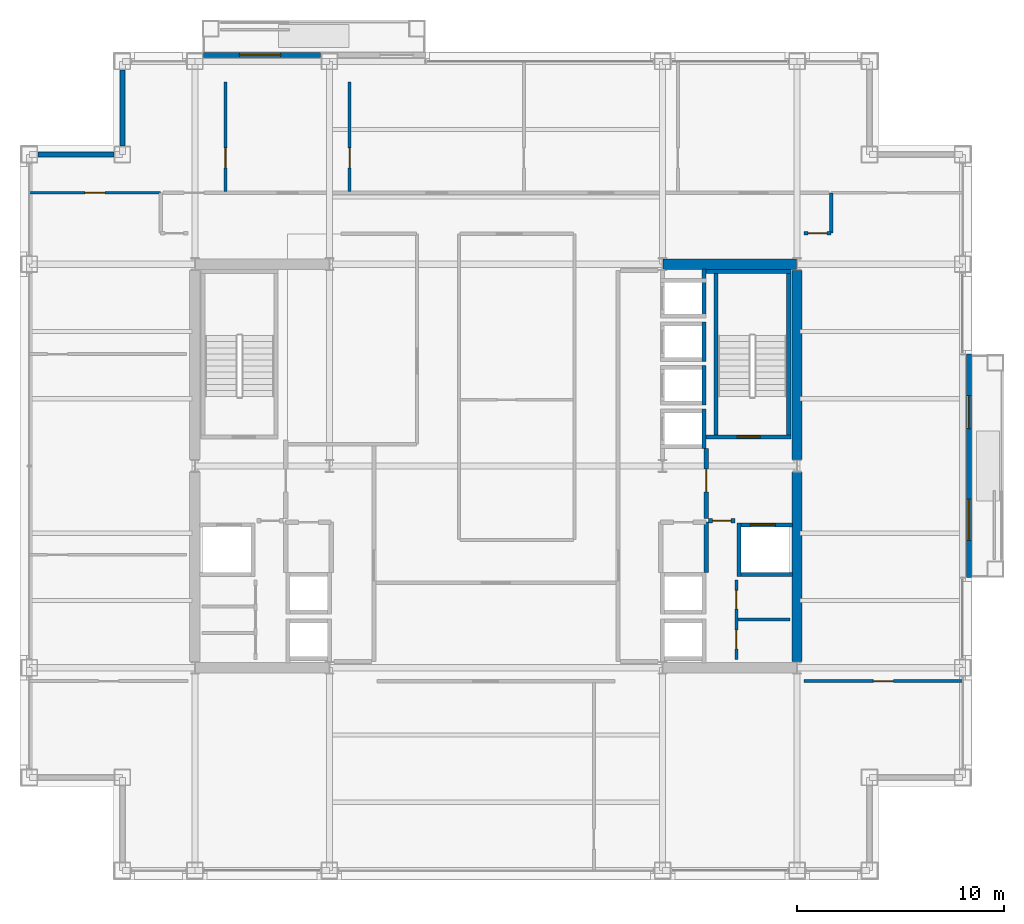
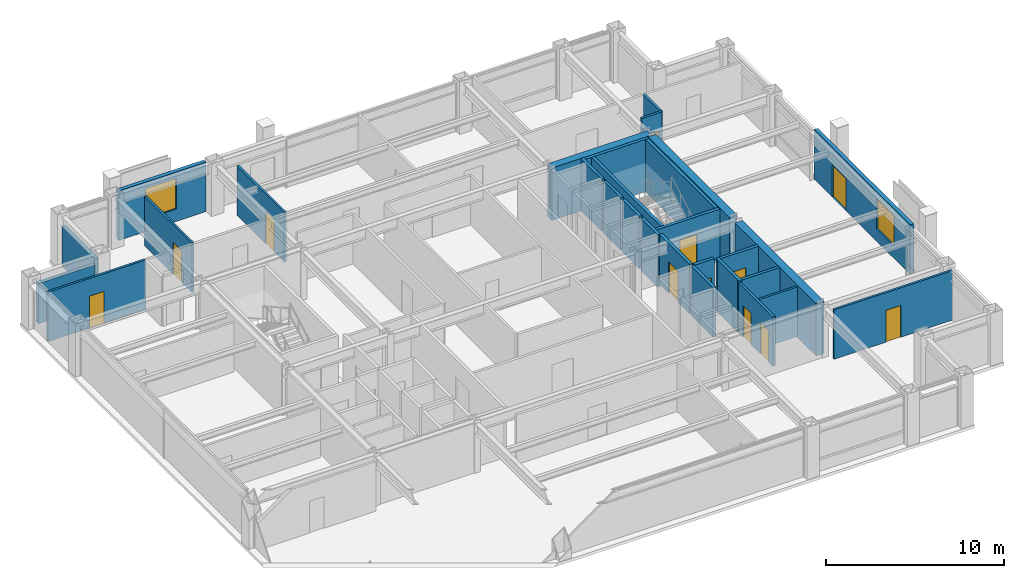
# One storey, part 26 of 29: 29 walls, 12 doors, 2 windows, 14 openings.
"""IFC4 building model written with IfcOpenShell, lengths in metres."""

from ifc_helpers import new_model, si_unit, direction, frame, frame_2d, origin, place, context, subcontext, project, spatial, rectangle, extrude, material, layer, layer_set, type_object, element, fill, save


model = new_model("IFC4")

# Units and contexts
model_context = context("Model", 3, precision=1e-05, world=origin(), true_north=direction((0.0, 1.0)))
body_context = subcontext(model_context, "Body", "Model", "MODEL_VIEW")
ifc_project = project(units=[si_unit("LENGTHUNIT", "METRE"), si_unit("AREAUNIT", "SQUARE_METRE"), si_unit("VOLUMEUNIT", "CUBIC_METRE"), si_unit("PLANEANGLEUNIT", "RADIAN"), si_unit("MASSUNIT", "GRAM", prefix="KILO")], contexts=[model_context])

# Site, building, storey
site_placement = place(None, origin())
site = spatial("IfcSite", under=ifc_project, at=site_placement, CompositionType="ELEMENT")
building_placement = place(site_placement, origin())
building = spatial("IfcBuilding", under=site, at=building_placement, Name="Brelmoor Portico Tower", CompositionType="ELEMENT")
storey_placement = place(building_placement, frame((0.0, 0.0, 135.0)))
storey = spatial("IfcBuildingStorey", under=building, at=storey_placement, Name="L35", CompositionType="ELEMENT", Elevation=135.0)

# Walls
ifc_material_1 = material(Name="Concrete C60", Category="concrete")
ifc_layer_1 = layer(ifc_material_1, 0.5)
ifc_layer_set_1 = layer_set([ifc_layer_1], Name="Concrete C60")
wall_type_1 = type_object("IfcWallType", Name="WL-CORE-500", PredefinedType="SHEAR", material=ifc_layer_set_1)
wall_1_placement = place(storey_placement, frame((8.070068359375, 9.75, -0.199951171875), z_axis=(0.0, 0.0, 1.0), x_axis=(1.0, 0.0, 0.0)))
element("IfcWall", 1, at=wall_1_placement, inside=storey, type_object=wall_type_1, Name="L35 EC North Shear Wall", PredefinedType="SHEAR", context=body_context, shape_type="SweptSolid", body=[
    extrude(rectangle(XDim=6.4599609375, YDim=0.5, at=frame_2d((3.22998046875, 0.0))), origin(), (0.0, 0.0, 1.0), 3.599853515625),
])
for number, where, z_axis, x_axis, name in (
    (2, (14.550048828125, -9.449951171875, -0.199951171875), (0.0, 0.0, 1.0), (0.0, 1.0, 0.0), "L35 EC Outer South Shear Wall"),
    (3, (14.550048828125, 0.300048828125, -0.199951171875), (0.0, 0.0, 1.0), (0.0, 1.0, 0.0), "L35 EC Outer North Shear Wall"),
):
    element("IfcWall", number, at=place(storey_placement, frame(where, z_axis=z_axis, x_axis=x_axis)), inside=storey, type_object=wall_type_1, Name=name, PredefinedType="SHEAR", context=body_context, shape_type="SweptSolid", body=[
        extrude(rectangle(XDim=9.14990234375, YDim=0.5, at=frame_2d((4.574951171875, 0.0))), origin(), (0.0, 0.0, 1.0), 3.599853515625),
    ])

# Wall, opening, window
ifc_material_2 = material(Name="Precast Concrete C40 Insulated Facade Wall", Category="concrete")
ifc_layer_2 = layer(ifc_material_2, 0.25)
ifc_layer_set_2 = layer_set([ifc_layer_2], Name="Precast Concrete C40 Insulated Facade Wall")
wall_type_2 = type_object("IfcWallType", Name="WL-EXT-250", PredefinedType="STANDARD", material=ifc_layer_set_2)
wall_2_placement = place(storey_placement, frame((-14.1298828125, 19.860107421875, 0.0), z_axis=(0.0, 0.0, 1.0), x_axis=(1.0, 0.0, 0.0)))
wall_2 = element("IfcWall", 4, at=wall_2_placement, inside=storey, type_object=wall_type_2, Name="L35 Loggia Threshold Wall N-1", PredefinedType="STANDARD", context=body_context, shape_type="SweptSolid", body=[
    extrude(rectangle(XDim=5.659912109375, YDim=0.25, at=frame_2d((2.830078125, 0.0))), origin(), (0.0, 0.0, 1.0), 3.39990234375),
])
opening_1_placement = place(wall_2_placement, frame((1.72998046875, 0.0, 0.85009765625)))
opening_1 = element("IfcOpeningElement", 5, at=opening_1_placement, cuts=wall_2, Name="Opening W-03", PredefinedType="OPENING", context=body_context, shape_type="SweptSolid", body=[
    extrude(rectangle(XDim=2.0, YDim=2.10009765625, at=frame_2d((1.0, 1.050048828125))), frame((0.0, 0.135009765625, 0.0), z_axis=(0.0, -1.0, 0.0), x_axis=(1.0, 0.0, 0.0)), (0.0, 0.0, 1.0), 0.27001953125),
])
ifc_material_3 = material(Name="Thermally Broken Aluminium Low-E Window", Category="aluminium")
window_type = type_object("IfcWindowType", Name="WN-LOGGIA-2000x2100", PartitioningType="SINGLE_PANEL", PredefinedType="WINDOW", material=ifc_material_3)
window_1_placement = place(opening_1_placement, origin())
window_1 = element("IfcWindow", 6, at=window_1_placement, inside=storey, type_object=window_type, Name="L35 Loggia Window N", OverallHeight=2.10009765625, OverallWidth=2.0, PartitioningType="SINGLE_PANEL", PredefinedType="WINDOW", context=body_context, shape_type="SweptSolid", body=[
    extrude(rectangle(XDim=2.0, YDim=2.10009765625, at=frame_2d((1.0, 1.050048828125))), frame((0.0, 0.030029296875, 0.0), z_axis=(0.0, -1.0, 0.0), x_axis=(1.0, 0.0, 0.0)), (0.0, 0.0, 1.0), 0.06005859375),
])
fill(opening_1, window_1)

# Wall, openings, door, window
wall_3_placement = place(storey_placement, frame((22.860107421875, -5.39990234375, 0.0), z_axis=(0.0, 0.0, 1.0), x_axis=(0.0, 1.0, 0.0)))
wall_3 = element("IfcWall", 7, at=wall_3_placement, inside=storey, type_object=wall_type_2, Name="L35 Loggia Threshold Wall E-1", PredefinedType="STANDARD", context=body_context, shape_type="SweptSolid", body=[
    extrude(rectangle(XDim=10.7998046875, YDim=0.25, at=frame_2d((5.39990234375, 0.0))), origin(), (0.0, 0.0, 1.0), 3.39990234375),
])
opening_2_placement = place(wall_3_placement, frame((7.199951171875, 0.0, 0.0)))
opening_2 = element("IfcOpeningElement", 8, at=opening_2_placement, cuts=wall_3, Name="Opening D-TB1", PredefinedType="OPENING", context=body_context, shape_type="SweptSolid", body=[
    extrude(rectangle(XDim=1.60009765625, YDim=2.199951171875, at=frame_2d((0.800048828125, 1.10009765625))), frame((0.0, 0.135009765625, 0.0), z_axis=(0.0, -1.0, 0.0), x_axis=(1.0, 0.0, 0.0)), (0.0, 0.0, 1.0), 0.27001953125),
])
opening_3_placement = place(wall_3_placement, frame((1.800048828125, 0.0, 0.85009765625)))
opening_3 = element("IfcOpeningElement", 9, at=opening_3_placement, cuts=wall_3, Name="Opening W-03", PredefinedType="OPENING", context=body_context, shape_type="SweptSolid", body=[
    extrude(rectangle(XDim=2.0, YDim=2.10009765625, at=frame_2d((1.0, 1.050048828125))), frame((0.0, 0.135009765625, 0.0), z_axis=(0.0, -1.0, 0.0), x_axis=(1.0, 0.0, 0.0)), (0.0, 0.0, 1.0), 0.27001953125),
])
ifc_material_4 = material(Name="Double-Leaf Thermally Broken Terrace Door", Category="aluminium")
door_type_1 = type_object("IfcDoorType", Name="DR-BALCONY-1600", OperationType="NOTDEFINED", PredefinedType="DOOR", material=ifc_material_4)
door_1_placement = place(opening_2_placement, origin())
door_1 = element("IfcDoor", 10, at=door_1_placement, inside=storey, type_object=door_type_1, Name="D-1545 L35 Tree Balcony Double Door E", OperationType="DOUBLE_DOOR_SINGLE_SWING", OverallHeight=2.199951171875, OverallWidth=1.60009765625, PredefinedType="DOOR", context=body_context, shape_type="SweptSolid", body=[
    extrude(rectangle(XDim=1.60009765625, YDim=2.199951171875, at=frame_2d((0.800048828125, 1.10009765625))), frame((0.0, 0.02490234375, 0.0), z_axis=(0.0, -1.0, 0.0), x_axis=(1.0, 0.0, 0.0)), (0.0, 0.0, 1.0), 0.050048828125),
])
fill(opening_2, door_1)
window_2_placement = place(opening_3_placement, origin())
window_2 = element("IfcWindow", 11, at=window_2_placement, inside=storey, type_object=window_type, Name="L35 Loggia Window E", OverallHeight=2.10009765625, OverallWidth=2.0, PartitioningType="SINGLE_PANEL", PredefinedType="WINDOW", context=body_context, shape_type="SweptSolid", body=[
    extrude(rectangle(XDim=2.0, YDim=2.10009765625, at=frame_2d((1.0, 1.050048828125))), frame((0.0, 0.030029296875, 0.0), z_axis=(0.0, -1.0, 0.0), x_axis=(1.0, 0.0, 0.0)), (0.0, 0.0, 1.0), 0.06005859375),
])
fill(opening_3, window_2)

# Walls
for number, where, z_axis, x_axis, name in (
    (12, (-22.139892578125, 15.050048828125, 0.0), (0.0, 0.0, 1.0), (1.0, 0.0, 0.0), "L35 Corner Notch Facade Wall NNWH1"),
    (13, (-18.050048828125, 15.4599609375, 0.0), (0.0, 0.0, 1.0), (0.0, 1.0, 0.0), "L35 Corner Notch Facade Wall NNWV1"),
):
    element("IfcWall", number, at=place(storey_placement, frame(where, z_axis=z_axis, x_axis=x_axis)), inside=storey, type_object=wall_type_2, Name=name, PredefinedType="STANDARD", context=body_context, shape_type="SweptSolid", body=[
        extrude(rectangle(XDim=3.679931640625, YDim=0.25, at=frame_2d((1.83984375, 0.0))), origin(), (0.0, 0.0, 1.0), 2.75),
    ])
ifc_material_5 = material(Name="Insulated Stud Suite Partition", Category="gypsum")
ifc_layer_3 = layer(ifc_material_5, 0.139892578125)
ifc_layer_set_3 = layer_set([ifc_layer_3], Name="Insulated Stud Suite Partition")
wall_type_3 = type_object("IfcWallType", Name="WL-PART-140", PredefinedType="PARTITIONING", material=ifc_layer_set_3)
wall_4_placement = place(storey_placement, frame((11.699951171875, -7.425048828125, 0.0), z_axis=(0.0, 0.0, 1.0), x_axis=(1.0, 0.0, 0.0)))
element("IfcWall", 14, at=wall_4_placement, inside=storey, type_object=wall_type_3, Name="L35 E Core WC Divider 1", PredefinedType="PARTITIONING", context=body_context, shape_type="SweptSolid", body=[
    extrude(rectangle(XDim=2.5, YDim=0.139892578125, at=frame_2d((1.25, 0.0))), origin(), (0.0, 0.0, 1.0), 3.39990234375),
])

# Wall, opening, door
wall_5_placement = place(storey_placement, frame((-13.070068359375, 13.260009765625, 0.0), z_axis=(0.0, 0.0, 1.0), x_axis=(0.0, 1.0, 0.0)))
wall_5 = element("IfcWall", 15, at=wall_5_placement, inside=storey, type_object=wall_type_3, Name="L35 North Suite Partition 1", PredefinedType="PARTITIONING", context=body_context, shape_type="SweptSolid", body=[
    extrude(rectangle(XDim=5.2900390625, YDim=0.139892578125, at=frame_2d((2.64501953125, 0.0))), origin(), (0.0, 0.0, 1.0), 3.39990234375),
])
opening_4_placement = place(wall_5_placement, frame((1.14990234375, 0.0, 0.0)))
opening_4 = element("IfcOpeningElement", 16, at=opening_4_placement, cuts=wall_5, Name="Opening D-IN2", PredefinedType="OPENING", context=body_context, shape_type="SweptSolid", body=[
    extrude(rectangle(XDim=0.9599609375, YDim=2.179931640625, at=frame_2d((0.47998046875, 1.08984375))), frame((0.0, 0.079833984375, 0.0), z_axis=(0.0, -1.0, 0.0), x_axis=(1.0, 0.0, 0.0)), (0.0, 0.0, 1.0), 0.159912109375),
])
ifc_material_6 = material(Name="Lacquered Timber Suite Door", Category="wood")
door_type_2 = type_object("IfcDoorType", Name="DR-INT-950", OperationType="NOTDEFINED", PredefinedType="DOOR", material=ifc_material_6)
door_2_placement = place(opening_4_placement, origin())
door_2 = element("IfcDoor", 17, at=door_2_placement, inside=storey, type_object=door_type_2, Name="D-1532 L35 North Suite Connecting Door 1", OperationType="SINGLE_SWING_LEFT", OverallHeight=2.179931640625, OverallWidth=0.9599609375, PredefinedType="DOOR", context=body_context, shape_type="SweptSolid", body=[
    extrude(rectangle(XDim=0.9599609375, YDim=2.179931640625, at=frame_2d((0.47998046875, 1.08984375))), frame((0.0, 0.02490234375, 0.0), z_axis=(0.0, -1.0, 0.0), x_axis=(1.0, 0.0, 0.0)), (0.0, 0.0, 1.0), 0.050048828125),
])
fill(opening_4, door_2)

wall_6_placement = place(storey_placement, frame((-7.070068359375, 13.260009765625, 0.0), z_axis=(0.0, 0.0, 1.0), x_axis=(0.0, 1.0, 0.0)))
wall_6 = element("IfcWall", 18, at=wall_6_placement, inside=storey, type_object=wall_type_3, Name="L35 North Suite Partition 2", PredefinedType="PARTITIONING", context=body_context, shape_type="SweptSolid", body=[
    extrude(rectangle(XDim=5.2900390625, YDim=0.139892578125, at=frame_2d((2.64501953125, 0.0))), origin(), (0.0, 0.0, 1.0), 3.39990234375),
])
opening_5_placement = place(wall_6_placement, frame((1.14990234375, 0.0, 0.0)))
opening_5 = element("IfcOpeningElement", 19, at=opening_5_placement, cuts=wall_6, Name="Opening D-IN2", PredefinedType="OPENING", context=body_context, shape_type="SweptSolid", body=[
    extrude(rectangle(XDim=0.9599609375, YDim=2.179931640625, at=frame_2d((0.47998046875, 1.08984375))), frame((0.0, 0.079833984375, 0.0), z_axis=(0.0, -1.0, 0.0), x_axis=(1.0, 0.0, 0.0)), (0.0, 0.0, 1.0), 0.159912109375),
])
door_3_placement = place(opening_5_placement, origin())
door_3 = element("IfcDoor", 20, at=door_3_placement, inside=storey, type_object=door_type_2, Name="D-1533 L35 North Suite Connecting Door 2", OperationType="SINGLE_SWING_RIGHT", OverallHeight=2.179931640625, OverallWidth=0.9599609375, PredefinedType="DOOR", context=body_context, shape_type="SweptSolid", body=[
    extrude(rectangle(XDim=0.9599609375, YDim=2.179931640625, at=frame_2d((0.47998046875, 1.08984375))), frame((0.0, 0.02490234375, 0.0), z_axis=(0.0, -1.0, 0.0), x_axis=(1.0, 0.0, 0.0)), (0.0, 0.0, 1.0), 0.050048828125),
])
fill(opening_5, door_3)

wall_7_placement = place(storey_placement, frame((-22.56005859375, 13.199951171875, 0.0), z_axis=(0.0, 0.0, 1.0), x_axis=(1.0, 0.0, 0.0)))
wall_7 = element("IfcWall", 21, at=wall_7_placement, inside=storey, type_object=wall_type_3, Name="L35 North Wing Closure WL", PredefinedType="PARTITIONING", context=body_context, shape_type="SweptSolid", body=[
    extrude(rectangle(XDim=6.360107421875, YDim=0.139892578125, at=frame_2d((3.18017578125, 0.0))), origin(), (0.0, 0.0, 1.0), 3.39990234375),
])
opening_6_placement = place(wall_7_placement, frame((2.699951171875, 0.0, 0.0)))
opening_6 = element("IfcOpeningElement", 22, at=opening_6_placement, cuts=wall_7, Name="Opening D-IN2", PredefinedType="OPENING", context=body_context, shape_type="SweptSolid", body=[
    extrude(rectangle(XDim=0.9599609375, YDim=2.179931640625, at=frame_2d((0.47998046875, 1.08984375))), frame((0.0, 0.079833984375, 0.0), z_axis=(0.0, -1.0, 0.0), x_axis=(1.0, 0.0, 0.0)), (0.0, 0.0, 1.0), 0.159912109375),
])
door_4_placement = place(opening_6_placement, origin())
door_4 = element("IfcDoor", 23, at=door_4_placement, inside=storey, type_object=door_type_2, Name="D-1537 L35 WL Wing North Suite Door", OperationType="SINGLE_SWING_LEFT", OverallHeight=2.179931640625, OverallWidth=0.9599609375, PredefinedType="DOOR", context=body_context, shape_type="SweptSolid", body=[
    extrude(rectangle(XDim=0.9599609375, YDim=2.179931640625, at=frame_2d((0.47998046875, 1.08984375))), frame((0.0, 0.02490234375, 0.0), z_axis=(0.0, -1.0, 0.0), x_axis=(1.0, 0.0, 0.0)), (0.0, 0.0, 1.0), 0.050048828125),
])
fill(opening_6, door_4)

wall_8_placement = place(storey_placement, frame((14.8798828125, -10.39990234375, 0.0), z_axis=(0.0, 0.0, 1.0), x_axis=(1.0, 0.0, 0.0)))
wall_8 = element("IfcWall", 24, at=wall_8_placement, inside=storey, type_object=wall_type_3, Name="L35 South Wing Closure ER", PredefinedType="PARTITIONING", context=body_context, shape_type="SweptSolid", body=[
    extrude(rectangle(XDim=7.68017578125, YDim=0.139892578125, at=frame_2d((3.840087890625, 0.0))), origin(), (0.0, 0.0, 1.0), 3.39990234375),
])
opening_7_placement = place(wall_8_placement, frame((3.360107421875, 0.0, 0.0)))
opening_7 = element("IfcOpeningElement", 25, at=opening_7_placement, cuts=wall_8, Name="Opening D-IN2", PredefinedType="OPENING", context=body_context, shape_type="SweptSolid", body=[
    extrude(rectangle(XDim=0.9599609375, YDim=2.179931640625, at=frame_2d((0.47998046875, 1.08984375))), frame((0.0, 0.079833984375, 0.0), z_axis=(0.0, -1.0, 0.0), x_axis=(1.0, 0.0, 0.0)), (0.0, 0.0, 1.0), 0.159912109375),
])
door_5_placement = place(opening_7_placement, origin())
door_5 = element("IfcDoor", 26, at=door_5_placement, inside=storey, type_object=door_type_2, Name="D-1543 L35 ER Wing South Suite Door", OperationType="SINGLE_SWING_RIGHT", OverallHeight=2.179931640625, OverallWidth=0.9599609375, PredefinedType="DOOR", context=body_context, shape_type="SweptSolid", body=[
    extrude(rectangle(XDim=0.9599609375, YDim=2.179931640625, at=frame_2d((0.47998046875, 1.08984375))), frame((0.0, 0.02490234375, 0.0), z_axis=(0.0, -1.0, 0.0), x_axis=(1.0, 0.0, 0.0)), (0.0, 0.0, 1.0), 0.050048828125),
])
fill(opening_7, door_5)

# Wall, openings, doors
ifc_material_7 = material(Name="Twin-Frame Acoustic Partition", Category="gypsum")
ifc_layer_4 = layer(ifc_material_7, 0.159912109375)
ifc_layer_set_4 = layer_set([ifc_layer_4], Name="Twin-Frame Acoustic Partition")
wall_type_4 = type_object("IfcWallType", Name="WL-PART-160", PredefinedType="PARTITIONING", material=ifc_layer_set_4)
wall_9_placement = place(storey_placement, frame((11.6201171875, -9.35009765625, 0.0), z_axis=(0.0, 0.0, 1.0), x_axis=(0.0, 1.0, 0.0)))
wall_9 = element("IfcWall", 27, at=wall_9_placement, inside=storey, type_object=wall_type_4, Name="L35 E Core Service Front Wall", PredefinedType="PARTITIONING", context=body_context, shape_type="SweptSolid", body=[
    extrude(rectangle(XDim=3.85009765625, YDim=0.159912109375, at=frame_2d((1.925048828125, 0.0))), origin(), (0.0, 0.0, 1.0), 3.39990234375),
])
opening_8_placement = place(wall_9_placement, frame((0.512451171875, 0.0, 0.0)))
opening_8 = element("IfcOpeningElement", 28, at=opening_8_placement, cuts=wall_9, Name="Opening D-IN1", PredefinedType="OPENING", context=body_context, shape_type="SweptSolid", body=[
    extrude(rectangle(XDim=0.89990234375, YDim=2.14990234375, at=frame_2d((0.449951171875, 1.074951171875))), frame((0.0, 0.08984375, 0.0), z_axis=(0.0, -1.0, 0.0), x_axis=(1.0, 0.0, 0.0)), (0.0, 0.0, 1.0), 0.179931640625),
])
opening_9_placement = place(wall_9_placement, frame((2.4375, 0.0, 0.0)))
opening_9 = element("IfcOpeningElement", 29, at=opening_9_placement, cuts=wall_9, Name="Opening D-IN1", PredefinedType="OPENING", context=body_context, shape_type="SweptSolid", body=[
    extrude(rectangle(XDim=0.89990234375, YDim=2.14990234375, at=frame_2d((0.449951171875, 1.074951171875))), frame((0.0, 0.08984375, 0.0), z_axis=(0.0, -1.0, 0.0), x_axis=(1.0, 0.0, 0.0)), (0.0, 0.0, 1.0), 0.179931640625),
])
door_type_3 = type_object("IfcDoorType", Name="DR-INT-900", OperationType="NOTDEFINED", PredefinedType="DOOR", material=ifc_material_6)
door_6_placement = place(opening_8_placement, origin())
door_6 = element("IfcDoor", 30, at=door_6_placement, inside=storey, type_object=door_type_3, Name="D-1514 L35 E Male WC Door", OperationType="SINGLE_SWING_RIGHT", OverallHeight=2.14990234375, OverallWidth=0.89990234375, PredefinedType="DOOR", context=body_context, shape_type="SweptSolid", body=[
    extrude(rectangle(XDim=0.89990234375, YDim=2.14990234375, at=frame_2d((0.449951171875, 1.074951171875))), frame((0.0, 0.02490234375, 0.0), z_axis=(0.0, -1.0, 0.0), x_axis=(1.0, 0.0, 0.0)), (0.0, 0.0, 1.0), 0.050048828125),
])
fill(opening_8, door_6)
door_7_placement = place(opening_9_placement, origin())
door_7 = element("IfcDoor", 31, at=door_7_placement, inside=storey, type_object=door_type_3, Name="D-1515 L35 E Female WC Door", OperationType="SINGLE_SWING_LEFT", OverallHeight=2.14990234375, OverallWidth=0.89990234375, PredefinedType="DOOR", context=body_context, shape_type="SweptSolid", body=[
    extrude(rectangle(XDim=0.89990234375, YDim=2.14990234375, at=frame_2d((0.449951171875, 1.074951171875))), frame((0.0, 0.02490234375, 0.0), z_axis=(0.0, -1.0, 0.0), x_axis=(1.0, 0.0, 0.0)), (0.0, 0.0, 1.0), 0.050048828125),
])
fill(opening_9, door_7)

# Wall, opening, door
wall_10_placement = place(storey_placement, frame((14.8798828125, 11.25, 0.0), z_axis=(0.0, 0.0, 1.0), x_axis=(1.0, 0.0, 0.0)))
wall_10 = element("IfcWall", 32, at=wall_10_placement, inside=storey, type_object=wall_type_4, Name="L35 E Wing North Entry Wall", PredefinedType="PARTITIONING", context=body_context, shape_type="SweptSolid", body=[
    extrude(rectangle(XDim=1.320068359375, YDim=0.159912109375, at=frame_2d((0.66015625, 0.0))), origin(), (0.0, 0.0, 1.0), 3.39990234375),
])
opening_10_placement = place(wall_10_placement, frame((0.2099609375, 0.0, 0.0)))
opening_10 = element("IfcOpeningElement", 33, at=opening_10_placement, cuts=wall_10, Name="Opening D-IN1", PredefinedType="OPENING", context=body_context, shape_type="SweptSolid", body=[
    extrude(rectangle(XDim=0.89990234375, YDim=2.14990234375, at=frame_2d((0.449951171875, 1.074951171875))), frame((0.0, 0.08984375, 0.0), z_axis=(0.0, -1.0, 0.0), x_axis=(1.0, 0.0, 0.0)), (0.0, 0.0, 1.0), 0.179931640625),
])
door_8_placement = place(opening_10_placement, origin())
door_8 = element("IfcDoor", 34, at=door_8_placement, inside=storey, type_object=door_type_3, Name="D-1547 L35 E Wing Entry Door", OperationType="SINGLE_SWING_RIGHT", OverallHeight=2.14990234375, OverallWidth=0.89990234375, PredefinedType="DOOR", context=body_context, shape_type="SweptSolid", body=[
    extrude(rectangle(XDim=0.89990234375, YDim=2.14990234375, at=frame_2d((0.449951171875, 1.074951171875))), frame((0.0, 0.02490234375, 0.0), z_axis=(0.0, -1.0, 0.0), x_axis=(1.0, 0.0, 0.0)), (0.0, 0.0, 1.0), 0.050048828125),
])
fill(opening_10, door_8)

# Wall
wall_11_placement = place(storey_placement, frame((16.199951171875, 11.25, 0.0), z_axis=(0.0, 0.0, 1.0), x_axis=(0.0, 1.0, 0.0)))
element("IfcWall", 35, at=wall_11_placement, inside=storey, type_object=wall_type_4, Name="L35 E Corridor End Closure", PredefinedType="PARTITIONING", context=body_context, shape_type="SweptSolid", body=[
    extrude(rectangle(XDim=1.949951171875, YDim=0.159912109375, at=frame_2d((0.97509765625, 0.0))), origin(), (0.0, 0.0, 1.0), 3.39990234375),
])

# Wall, opening, door
ifc_material_8 = material(Name="Double-Stud Gypsum Fire Partition", Category="gypsum")
ifc_layer_5 = layer(ifc_material_8, 0.199951171875)
ifc_layer_set_5 = layer_set([ifc_layer_5], Name="Double-Stud Gypsum Fire Partition")
wall_type_5 = type_object("IfcWallType", Name="WL-PART-200", PredefinedType="PARTITIONING", material=ifc_layer_set_5)
wall_12_placement = place(storey_placement, frame((10.159912109375, -2.550048828125, 0.0), z_axis=(0.0, 0.0, 1.0), x_axis=(0.0, 1.0, 0.0)))
wall_12 = element("IfcWall", 36, at=wall_12_placement, inside=storey, type_object=wall_type_5, Name="L35 E Firefighting Lobby Wall", PredefinedType="PARTITIONING", context=body_context, shape_type="SweptSolid", body=[
    extrude(rectangle(XDim=3.400146484375, YDim=0.199951171875, at=frame_2d((1.7001953125, 0.0))), origin(), (0.0, 0.0, 1.0), 3.39990234375),
])
opening_11_placement = place(wall_12_placement, frame((1.300048828125, 0.0, 0.0)))
opening_11 = element("IfcOpeningElement", 37, at=opening_11_placement, cuts=wall_12, Name="Opening D-FR1", PredefinedType="OPENING", context=body_context, shape_type="SweptSolid", body=[
    extrude(rectangle(XDim=1.10009765625, YDim=2.14990234375, at=frame_2d((0.550048828125, 1.074951171875))), frame((0.0, 0.10986328125, 0.0), z_axis=(0.0, -1.0, 0.0), x_axis=(1.0, 0.0, 0.0)), (0.0, 0.0, 1.0), 0.219970703125),
])
ifc_material_9 = material(Name="Painted Galvanised Steel Fire Door", Category="steel")
door_type_4 = type_object("IfcDoorType", Name="DR-FIRE-1100", OperationType="NOTDEFINED", PredefinedType="DOOR", material=ifc_material_9)
door_9_placement = place(opening_11_placement, origin())
door_9 = element("IfcDoor", 38, at=door_9_placement, inside=storey, type_object=door_type_4, Name="D-1523 L35 E Firefighting Lobby Door", OperationType="SINGLE_SWING_LEFT", OverallHeight=2.14990234375, OverallWidth=1.10009765625, PredefinedType="DOOR", context=body_context, shape_type="SweptSolid", body=[
    extrude(rectangle(XDim=1.10009765625, YDim=2.14990234375, at=frame_2d((0.550048828125, 1.074951171875))), frame((0.0, 0.02490234375, 0.0), z_axis=(0.0, -1.0, 0.0), x_axis=(1.0, 0.0, 0.0)), (0.0, 0.0, 1.0), 0.050048828125),
])
fill(opening_11, door_9)

wall_13_placement = place(storey_placement, frame((10.280029296875, -2.64990234375, 0.0), z_axis=(0.0, 0.0, 1.0), x_axis=(1.0, 0.0, 0.0)))
wall_13 = element("IfcWall", 39, at=wall_13_placement, inside=storey, type_object=wall_type_5, Name="L35 E Firefighting Lobby South Wall", PredefinedType="PARTITIONING", context=body_context, shape_type="SweptSolid", body=[
    extrude(rectangle(XDim=1.27001953125, YDim=0.199951171875, at=frame_2d((0.635009765625, 0.0))), origin(), (0.0, 0.0, 1.0), 3.39990234375),
])
opening_12_placement = place(wall_13_placement, frame((0.18505859375, 0.0, 0.0)))
opening_12 = element("IfcOpeningElement", 40, at=opening_12_placement, cuts=wall_13, Name="Opening D-IN1", PredefinedType="OPENING", context=body_context, shape_type="SweptSolid", body=[
    extrude(rectangle(XDim=0.89990234375, YDim=2.14990234375, at=frame_2d((0.449951171875, 1.074951171875))), frame((0.0, 0.10986328125, 0.0), z_axis=(0.0, -1.0, 0.0), x_axis=(1.0, 0.0, 0.0)), (0.0, 0.0, 1.0), 0.219970703125),
])
door_10_placement = place(opening_12_placement, origin())
door_10 = element("IfcDoor", 41, at=door_10_placement, inside=storey, type_object=door_type_3, Name="D-1516 L35 E Core Service Vestibule Door", OperationType="SINGLE_SWING_RIGHT", OverallHeight=2.14990234375, OverallWidth=0.89990234375, PredefinedType="DOOR", context=body_context, shape_type="SweptSolid", body=[
    extrude(rectangle(XDim=0.89990234375, YDim=2.14990234375, at=frame_2d((0.449951171875, 1.074951171875))), frame((0.0, 0.02490234375, 0.0), z_axis=(0.0, -1.0, 0.0), x_axis=(1.0, 0.0, 0.0)), (0.0, 0.0, 1.0), 0.050048828125),
])
fill(opening_12, door_10)

# Walls
wall_14_placement = place(storey_placement, frame((10.159912109375, -5.159912109375, 0.0), z_axis=(0.0, 0.0, 1.0), x_axis=(0.0, 1.0, 0.0)))
element("IfcWall", 42, at=wall_14_placement, inside=storey, type_object=wall_type_5, Name="L35 E Electrical Switchgear Closet Outer Wall", PredefinedType="PARTITIONING", context=body_context, shape_type="SweptSolid", body=[
    extrude(rectangle(XDim=2.43994140625, YDim=0.199951171875, at=frame_2d((1.219970703125, 0.0))), origin(), (0.0, 0.0, 1.0), 3.39990234375),
])
ifc_material_10 = material(Name="Precast Concrete C40", Category="concrete")
ifc_layer_6 = layer(ifc_material_10, 0.18994140625)
ifc_layer_set_6 = layer_set([ifc_layer_6], Name="Precast Concrete C40")
wall_type_6 = type_object("IfcWallType", Name="WL-SHAFT-180", PredefinedType="SOLIDWALL", material=ifc_layer_set_6)
wall_15_placement = place(storey_placement, frame((10.054931640625, 0.85009765625, -0.199951171875), z_axis=(0.0, 0.0, 1.0), x_axis=(0.0, 1.0, 0.0)))
element("IfcWall", 43, at=wall_15_placement, inside=storey, type_object=wall_type_6, Name="L35 Lift PM1 Hoistway Back Wall", PredefinedType="SOLIDWALL", context=body_context, shape_type="SweptSolid", body=[
    extrude(rectangle(XDim=1.89990234375, YDim=0.18994140625, at=frame_2d((0.949951171875, 0.0))), origin(), (0.0, 0.0, 1.0), 3.599853515625),
])
wall_16_placement = place(storey_placement, frame((10.054931640625, 2.949951171875, -0.199951171875), z_axis=(0.0, 0.0, 1.0), x_axis=(0.0, 1.0, 0.0)))
element("IfcWall", 44, at=wall_16_placement, inside=storey, type_object=wall_type_6, Name="L35 Lift PM2 Hoistway Back Wall", PredefinedType="SOLIDWALL", context=body_context, shape_type="SweptSolid", body=[
    extrude(rectangle(XDim=1.900146484375, YDim=0.18994140625, at=frame_2d((0.9501953125, 0.0))), origin(), (0.0, 0.0, 1.0), 3.599853515625),
])
wall_17_placement = place(storey_placement, frame((10.054931640625, 5.050048828125, -0.199951171875), z_axis=(0.0, 0.0, 1.0), x_axis=(0.0, 1.0, 0.0)))
element("IfcWall", 45, at=wall_17_placement, inside=storey, type_object=wall_type_6, Name="L35 Lift PM3 Hoistway Back Wall", PredefinedType="SOLIDWALL", context=body_context, shape_type="SweptSolid", body=[
    extrude(rectangle(XDim=1.89990234375, YDim=0.18994140625, at=frame_2d((0.949951171875, 0.0))), origin(), (0.0, 0.0, 1.0), 3.599853515625),
])
wall_18_placement = place(storey_placement, frame((10.054931640625, 7.14990234375, -0.199951171875), z_axis=(0.0, 0.0, 1.0), x_axis=(0.0, 1.0, 0.0)))
element("IfcWall", 46, at=wall_18_placement, inside=storey, type_object=wall_type_6, Name="L35 Lift PM4 Hoistway Back Wall", PredefinedType="SOLIDWALL", context=body_context, shape_type="SweptSolid", body=[
    extrude(rectangle(XDim=2.3701171875, YDim=0.18994140625, at=frame_2d((1.18505859375, 0.0))), origin(), (0.0, 0.0, 1.0), 3.599853515625),
])

# Wall, opening, door
wall_19_placement = place(storey_placement, frame((11.64990234375, -2.844970703125, -0.199951171875), z_axis=(0.0, 0.0, 1.0), x_axis=(1.0, 0.0, 0.0)))
wall_19 = element("IfcWall", 47, at=wall_19_placement, inside=storey, type_object=wall_type_6, Name="L35 Lift FF2 Hoistway Front Wall", PredefinedType="SOLIDWALL", context=body_context, shape_type="SweptSolid", body=[
    extrude(rectangle(XDim=2.68017578125, YDim=0.18994140625, at=frame_2d((1.340087890625, 0.0))), origin(), (0.0, 0.0, 1.0), 3.599853515625),
])
opening_13_placement = place(wall_19_placement, frame((0.64990234375, 0.0, 0.199951171875)))
opening_13 = element("IfcOpeningElement", 48, at=opening_13_placement, cuts=wall_19, Name="Opening LD-02", PredefinedType="OPENING", context=body_context, shape_type="SweptSolid", body=[
    extrude(rectangle(XDim=1.199951171875, YDim=2.199951171875, at=frame_2d((0.60009765625, 1.10009765625))), frame((0.0, 0.10498046875, 0.0), z_axis=(0.0, -1.0, 0.0), x_axis=(1.0, 0.0, 0.0)), (0.0, 0.0, 1.0), 0.2099609375),
])
ifc_material_11 = material(Name="Brushed Stainless Steel Firefighting Lift Door", Category="steel")
door_type_5 = type_object("IfcDoorType", Name="DR-LIFT-1200", OperationType="NOTDEFINED", PredefinedType="DOOR", material=ifc_material_11)
door_11_placement = place(opening_13_placement, origin())
door_11 = element("IfcDoor", 49, at=door_11_placement, inside=storey, type_object=door_type_5, Name="D-1552 L35 Lift FF2 Sliding Landing Door", OperationType="SLIDING_TO_LEFT", OverallHeight=2.199951171875, OverallWidth=1.199951171875, PredefinedType="DOOR", context=body_context, shape_type="SweptSolid", body=[
    extrude(rectangle(XDim=1.199951171875, YDim=2.199951171875, at=frame_2d((0.60009765625, 1.10009765625))), frame((0.0, 0.02490234375, 0.0), z_axis=(0.0, -1.0, 0.0), x_axis=(1.0, 0.0, 0.0)), (0.0, 0.0, 1.0), 0.050048828125),
])
fill(opening_13, door_11)

# Walls
wall_20_placement = place(storey_placement, frame((11.64990234375, -5.2548828125, -0.199951171875), z_axis=(0.0, 0.0, 1.0), x_axis=(1.0, 0.0, 0.0)))
element("IfcWall", 50, at=wall_20_placement, inside=storey, type_object=wall_type_6, Name="L35 Firefighting Lift FF2 South Wall", PredefinedType="SOLIDWALL", context=body_context, shape_type="SweptSolid", body=[
    extrude(rectangle(XDim=2.68017578125, YDim=0.18994140625, at=frame_2d((1.340087890625, 0.0))), origin(), (0.0, 0.0, 1.0), 3.599853515625),
])
wall_21_placement = place(storey_placement, frame((11.7451171875, -5.35009765625, -0.199951171875), z_axis=(0.0, 0.0, 1.0), x_axis=(0.0, 1.0, 0.0)))
element("IfcWall", 51, at=wall_21_placement, inside=storey, type_object=wall_type_6, Name="L35 Firefighting Lift FF2 Inner Wall", PredefinedType="SOLIDWALL", context=body_context, shape_type="SweptSolid", body=[
    extrude(rectangle(XDim=2.60009765625, YDim=0.18994140625, at=frame_2d((1.300048828125, 0.0))), origin(), (0.0, 0.0, 1.0), 3.599853515625),
])
ifc_material_12 = material(Name="Concrete C40", Category="concrete")
ifc_layer_7 = layer(ifc_material_12, 0.199951171875)
ifc_layer_set_7 = layer_set([ifc_layer_7], Name="Concrete C40")
wall_type_7 = type_object("IfcWallType", Name="WL-SHAFT-RC200", PredefinedType="SOLIDWALL", material=ifc_layer_set_7)
wall_22_placement = place(storey_placement, frame((14.14990234375, 1.5, -0.199951171875), z_axis=(0.0, 0.0, 1.0), x_axis=(0.0, 1.0, 0.0)))
element("IfcWall", 52, at=wall_22_placement, inside=storey, type_object=wall_type_7, Name="L35 ST-E Structural Stair Wall Outer", PredefinedType="SOLIDWALL", context=body_context, shape_type="SweptSolid", body=[
    extrude(rectangle(XDim=7.800048828125, YDim=0.199951171875, at=frame_2d((3.89990234375, 0.0))), origin(), (0.0, 0.0, 1.0), 3.599853515625),
])

# Wall, opening, door
wall_23_placement = place(storey_placement, frame((10.14990234375, 1.39990234375, -0.199951171875), z_axis=(0.0, 0.0, 1.0), x_axis=(1.0, 0.0, 0.0)))
wall_23 = element("IfcWall", 53, at=wall_23_placement, inside=storey, type_object=wall_type_7, Name="L35 ST-E Structural Stair Wall S", PredefinedType="SOLIDWALL", context=body_context, shape_type="SweptSolid", body=[
    extrude(rectangle(XDim=4.10009765625, YDim=0.199951171875, at=frame_2d((2.050048828125, 0.0))), origin(), (0.0, 0.0, 1.0), 3.599853515625),
])
opening_14_placement = place(wall_23_placement, frame((1.5, 0.0, 0.199951171875)))
opening_14 = element("IfcOpeningElement", 54, at=opening_14_placement, cuts=wall_23, Name="Opening D-ST1", PredefinedType="OPENING", context=body_context, shape_type="SweptSolid", body=[
    extrude(rectangle(XDim=1.1201171875, YDim=2.179931640625, at=frame_2d((0.56005859375, 1.08984375))), frame((0.0, 0.10986328125, 0.0), z_axis=(0.0, -1.0, 0.0), x_axis=(1.0, 0.0, 0.0)), (0.0, 0.0, 1.0), 0.219970703125),
])
door_type_6 = type_object("IfcDoorType", Name="DR-STAIR-1100", OperationType="NOTDEFINED", PredefinedType="DOOR", material=ifc_material_9)
door_12_placement = place(opening_14_placement, origin())
door_12 = element("IfcDoor", 55, at=door_12_placement, inside=storey, type_object=door_type_6, Name="D-1541 L35 ST-E Protected Exit Stair Door", OperationType="SINGLE_SWING_RIGHT", OverallHeight=2.179931640625, OverallWidth=1.1201171875, PredefinedType="DOOR", context=body_context, shape_type="SweptSolid", body=[
    extrude(rectangle(XDim=1.1201171875, YDim=2.179931640625, at=frame_2d((0.56005859375, 1.08984375))), frame((0.0, 0.02490234375, 0.0), z_axis=(0.0, -1.0, 0.0), x_axis=(1.0, 0.0, 0.0)), (0.0, 0.0, 1.0), 0.050048828125),
])
fill(opening_14, door_12)

# Walls
wall_24_placement = place(storey_placement, frame((10.14990234375, 9.39990234375, -0.199951171875), z_axis=(0.0, 0.0, 1.0), x_axis=(1.0, 0.0, 0.0)))
element("IfcWall", 56, at=wall_24_placement, inside=storey, type_object=wall_type_7, Name="L35 ST-E Structural Stair Wall N", PredefinedType="SOLIDWALL", context=body_context, shape_type="SweptSolid", body=[
    extrude(rectangle(XDim=4.10009765625, YDim=0.199951171875, at=frame_2d((2.050048828125, 0.0))), origin(), (0.0, 0.0, 1.0), 3.599853515625),
])
wall_25_placement = place(storey_placement, frame((10.6298828125, 1.5, -0.199951171875), z_axis=(0.0, 0.0, 1.0), x_axis=(0.0, 1.0, 0.0)))
element("IfcWall", 57, at=wall_25_placement, inside=storey, type_object=wall_type_7, Name="L35 ST-E Structural Stair Wall Inner", PredefinedType="SOLIDWALL", context=body_context, shape_type="SweptSolid", body=[
    extrude(rectangle(XDim=7.800048828125, YDim=0.199951171875, at=frame_2d((3.89990234375, 0.0))), origin(), (0.0, 0.0, 1.0), 3.599853515625),
])

save(model, "model.ifc")
